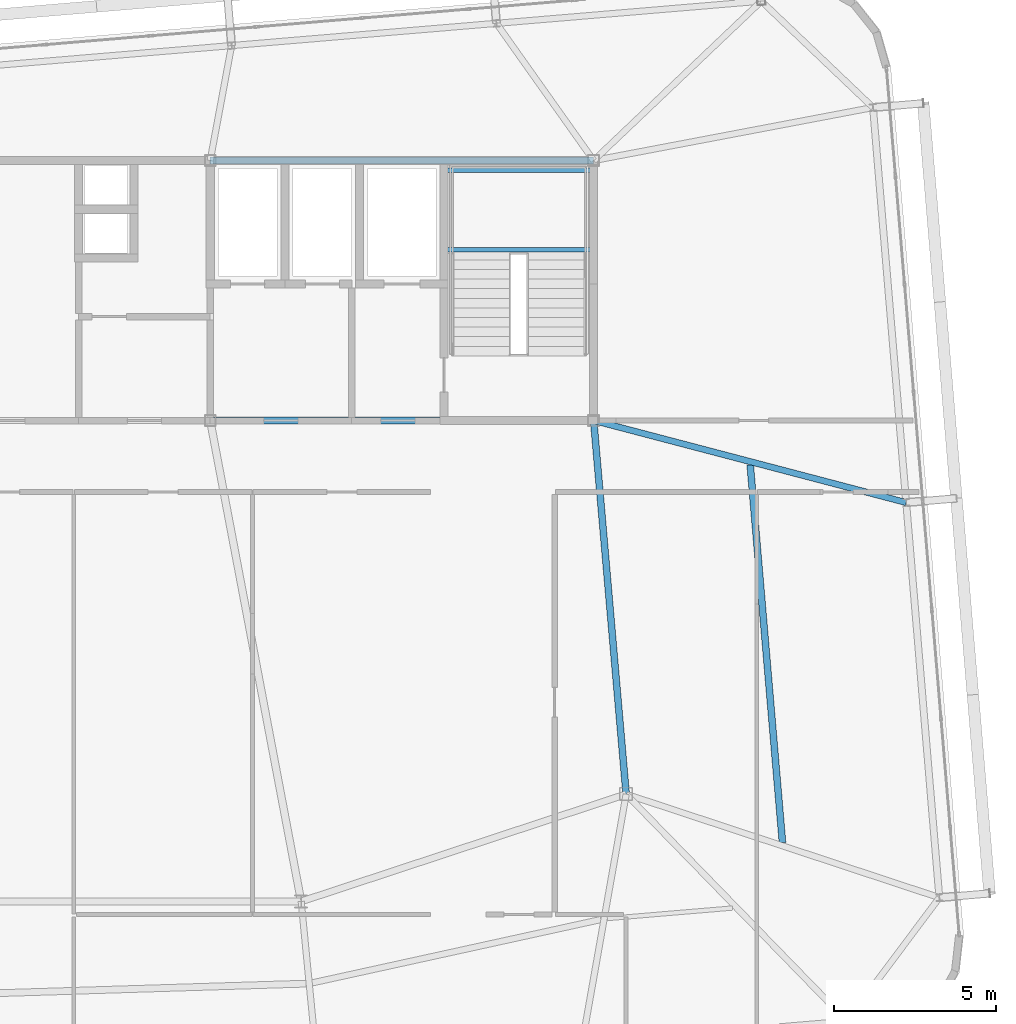
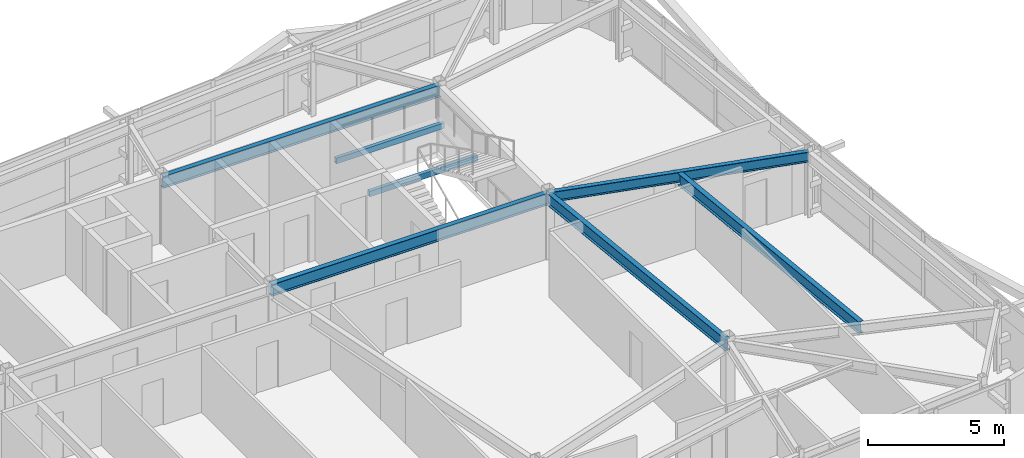
# One storey, part 24 of 46: 7 beams.
"""IFC4 building model written with IfcOpenShell, lengths in metres."""

import ifcopenshell
import ifcopenshell.guid

model = None  # the IFC model being written
_history = None  # IfcOwnerHistory: only IFC2X3 demands one
_inside = {}  # id of a spatial element -> (the spatial element, [elements in it])
_under = {}  # id of a project, library or spatial element -> (it, [spatial elements below it])
_declared = {}  # id of a project -> (the project, [libraries it declares])
_typed = {}  # id of a type object -> (the type object, [elements of that type])
_made_of = {}  # id of a material, layer set ... -> (it, [elements and type objects made of it])


def new_model(schema):
    """Start an empty IFC model of exactly this schema.

    Asked for "IFC4X3", IfcOpenShell would pick the latest addendum, in which some entities
    have other attributes; the version numbers below select the first issue.
    IFC2X3 requires an IfcOwnerHistory on every rooted entity: one is made here for all.
    """
    global model, _history
    if schema == "IFC4X3":
        model = ifcopenshell.file(schema_version=(4, 3, 0, 0))
    else:
        model = ifcopenshell.file(schema=schema)
    _inside.clear()
    _under.clear()
    _declared.clear()
    _typed.clear()
    _made_of.clear()
    _history = None
    if model.schema == "IFC2X3":
        org = make("IfcOrganization", Name="unknown")
        user = make(
            "IfcPersonAndOrganization",
            ThePerson=make("IfcPerson", FamilyName="unknown"),
            TheOrganization=org,
        )
        app = make(
            "IfcApplication",
            ApplicationDeveloper=org,
            Version="unknown",
            ApplicationFullName="unknown",
            ApplicationIdentifier="unknown",
        )
        _history = make(
            "IfcOwnerHistory",
            OwningUser=user,
            OwningApplication=app,
            ChangeAction="ADDED",
            CreationDate=0,
        )
    return model


def make(cls, **values):
    """One entity of the class cls with the attributes given. An attribute that is None is left unset."""
    return model.create_entity(
        cls, **{name: value for name, value in values.items() if value is not None}
    )


def rooted(cls, **values):
    """An entity with a GlobalId (a new one), such as an element, a storey or a relation."""
    return make(cls, GlobalId=ifcopenshell.guid.new(), OwnerHistory=_history, **values)


def si_unit(unit_type, name, prefix=None):
    """IfcSIUnit, for example si_unit("LENGTHUNIT", "METRE", prefix="MILLI")."""
    return make("IfcSIUnit", UnitType=unit_type, Prefix=prefix, Name=name)


def assignment(units):
    """IfcUnitAssignment: the units of a project."""
    return None if units is None else make("IfcUnitAssignment", Units=units)


def point(xyz):
    """IfcCartesianPoint."""
    return None if xyz is None else make("IfcCartesianPoint", Coordinates=xyz)


def direction(xyz):
    """IfcDirection."""
    return None if xyz is None else make("IfcDirection", DirectionRatios=xyz)


def frame(location, z_axis=None, x_axis=None):
    """IfcAxis2Placement3D, a coordinate frame: its origin and axes. An axis left out is left unset."""
    return make(
        "IfcAxis2Placement3D",
        Location=point(location),
        Axis=direction(z_axis),
        RefDirection=direction(x_axis),
    )


def frame_2d(location, x_axis=None):
    """IfcAxis2Placement2D, a coordinate frame in the plane: its origin and x axis."""
    return make(
        "IfcAxis2Placement2D", Location=point(location), RefDirection=direction(x_axis)
    )


def origin():
    """The frame at (0, 0, 0) with its axes left unset."""
    return frame((0.0, 0.0, 0.0))


def origin_2d():
    """The frame at (0, 0) in the plane with its x axis left unset."""
    return frame_2d((0.0, 0.0))


def place(relative_to, where):
    """IfcLocalPlacement: puts the frame where relative to a parent placement (None: the world)."""
    return make(
        "IfcLocalPlacement", PlacementRelTo=relative_to, RelativePlacement=where
    )


def context(
    kind, dimensions, precision=None, world=None, true_north=None, identifier=None
):
    """IfcGeometricRepresentationContext, for example the 3D "Model" context."""
    return make(
        "IfcGeometricRepresentationContext",
        ContextIdentifier=identifier,
        ContextType=kind,
        CoordinateSpaceDimension=dimensions,
        Precision=precision,
        WorldCoordinateSystem=world,
        TrueNorth=true_north,
    )


def subcontext(parent, identifier, kind, view, scale=None):
    """IfcGeometricRepresentationSubContext, for example "Body" below "Model"."""
    return make(
        "IfcGeometricRepresentationSubContext",
        ContextIdentifier=identifier,
        ContextType=kind,
        ParentContext=parent,
        TargetScale=scale,
        TargetView=view,
    )


def project(units=None, contexts=None):
    """IfcProject with its units and contexts."""
    return rooted(
        "IfcProject",
        Name="project",
        RepresentationContexts=contexts,
        UnitsInContext=assignment(units),
    )


def spatial(cls, under=None, at=None, **own):
    """A site, building, storey or space (cls), placed at a placement, below another one or the project."""
    s = rooted(cls, ObjectPlacement=at, **own)
    if under is not None:
        _under.setdefault(under.id(), (under, []))[1].append(s)
    return s


def profile(cls, at=None, kind="AREA", **sizes):
    """A parametric profile (cls). Its sizes go by their IFC names, for example OverallWidth=200.0."""
    return make(cls, ProfileType=kind, Position=at, **sizes)


def hollow_rectangle(**sizes):
    """IfcRectangleHollowProfileDef."""
    return profile("IfcRectangleHollowProfileDef", **sizes)


def i_section(**sizes):
    """IfcIShapeProfileDef."""
    return profile("IfcIShapeProfileDef", **sizes)


def extrude(swept, where, along, depth):
    """IfcExtrudedAreaSolid: the profile swept, set in the frame where, extruded along a direction by depth."""
    return make(
        "IfcExtrudedAreaSolid",
        SweptArea=swept,
        Position=where,
        ExtrudedDirection=direction(along),
        Depth=depth,
    )


def shape(context_of_items, identifier, shape_type, items):
    """IfcShapeRepresentation: the items that make up one representation, for example the "Body"."""
    return make(
        "IfcShapeRepresentation",
        ContextOfItems=context_of_items,
        RepresentationIdentifier=identifier,
        RepresentationType=shape_type,
        Items=items,
    )


def source(mapping_origin, context_of_items, identifier, shape_type, items):
    """IfcRepresentationMap: a shape defined once, which mapped items show again and again."""
    return make(
        "IfcRepresentationMap",
        MappingOrigin=mapping_origin,
        MappedRepresentation=shape(context_of_items, identifier, shape_type, items),
    )


def transform(
    local_origin,
    x_axis=None,
    y_axis=None,
    z_axis=None,
    scale=None,
    scale2=None,
    scale3=None,
    uniform=True,
):
    """IfcCartesianTransformationOperator3D, or its non-uniform kind. x_axis, y_axis, z_axis: its Axis1, 2, 3."""
    if uniform:
        return make(
            "IfcCartesianTransformationOperator3D",
            Axis1=direction(x_axis),
            Axis2=direction(y_axis),
            LocalOrigin=point(local_origin),
            Scale=scale,
            Axis3=direction(z_axis),
        )
    return make(
        "IfcCartesianTransformationOperator3DnonUniform",
        Axis1=direction(x_axis),
        Axis2=direction(y_axis),
        LocalOrigin=point(local_origin),
        Scale=scale,
        Axis3=direction(z_axis),
        Scale2=scale2,
        Scale3=scale3,
    )


def mapped(mapping_source, mapping_target):
    """IfcMappedItem: shows the shape of a source again, moved by a transform."""
    return make(
        "IfcMappedItem", MappingSource=mapping_source, MappingTarget=mapping_target
    )


def material(Name=None, Category=None):
    """IfcMaterial."""
    return make("IfcMaterial", Name=Name, Category=Category)


def material_profile(
    of_material, cross_section, Name=None, Category=None, Priority=None
):
    """IfcMaterialProfile: a cross section and its material."""
    return make(
        "IfcMaterialProfile",
        Name=Name,
        Material=of_material,
        Profile=cross_section,
        Priority=Priority,
        Category=Category,
    )


def profile_set(profiles, Name=None, composite=None):
    """IfcMaterialProfileSet."""
    return make(
        "IfcMaterialProfileSet",
        Name=Name,
        MaterialProfiles=profiles,
        CompositeProfile=composite,
    )


def made_of(thing, what):
    """Note that an element or type object is made of a material, layer set ...; save() writes the relation."""
    if what is not None:
        _made_of.setdefault(what.id(), (what, []))[1].append(thing)
    return thing


def type_object(cls, material=None, **own):
    """A type object (cls), such as IfcWallType, which elements share."""
    return made_of(rooted(cls, **own), material)


def element(
    cls,
    number,
    at=None,
    inside=None,
    cuts=None,
    type_object=None,
    material=None,
    context=None,
    identifier="Body",
    shape_type=None,
    held_by="IfcProductDefinitionShape",
    body=None,
    shapes=None,
    **own,
):
    """One element of the class cls, such as IfcWall. Its Tag is "e" and its number.

    at: its placement. inside: the storey or other place that contains it. cuts: it is an
    opening in that element (IfcRelVoidsElement). A single representation is given by context,
    identifier, shape_type and body (its items); several are given by shapes. held_by: the class
    of the entity that holds the representations. save() writes the other relations.
    """
    e = rooted(cls, Tag="e%d" % number, ObjectPlacement=at, **own)
    if body is not None:
        shapes = [shape(context, identifier, shape_type, body)]
    if shapes is not None:
        e.Representation = make(held_by, Representations=shapes)
    if inside is not None:
        _inside.setdefault(inside.id(), (inside, []))[1].append(e)
    if cuts is not None:
        rooted(
            "IfcRelVoidsElement", RelatingBuildingElement=cuts, RelatedOpeningElement=e
        )
    if type_object is not None:
        _typed.setdefault(type_object.id(), (type_object, []))[1].append(e)
    return made_of(e, material)


def aggregate(whole, parts):
    """IfcRelAggregates: a whole, such as a stair, and the parts it consists of."""
    return rooted("IfcRelAggregates", RelatingObject=whole, RelatedObjects=parts)


def save(model, path):
    """Write the relations noted so far, then the file.

    IfcRelAggregates (storeys below a building ...), IfcRelContainedInSpatialStructure (elements
    in a storey), IfcRelDefinesByType, IfcRelAssociatesMaterial and IfcRelDeclares: one each for
    every whole, place, type object, material and project.
    """
    for whole, parts in _under.values():
        aggregate(whole, parts)
    for where, things in _inside.values():
        rooted(
            "IfcRelContainedInSpatialStructure",
            RelatedElements=things,
            RelatingStructure=where,
        )
    for kind, things in _typed.values():
        rooted("IfcRelDefinesByType", RelatedObjects=things, RelatingType=kind)
    for what, things in _made_of.values():
        rooted("IfcRelAssociatesMaterial", RelatedObjects=things, RelatingMaterial=what)
    for by, libraries in _declared.values():
        rooted("IfcRelDeclares", RelatingContext=by, RelatedDefinitions=libraries)
    model.write(path)


model = new_model("IFC4")

# Units and contexts
model_context = context("Model", 3, precision=1e-05, world=origin(), true_north=direction((0.0, 1.0)))
body_context = subcontext(model_context, "Body", "Model", "MODEL_VIEW")
ifc_project = project(units=[si_unit("LENGTHUNIT", "METRE"), si_unit("AREAUNIT", "SQUARE_METRE"), si_unit("VOLUMEUNIT", "CUBIC_METRE"), si_unit("PLANEANGLEUNIT", "RADIAN"), si_unit("MASSUNIT", "GRAM", prefix="KILO")], contexts=[model_context])

# Site, building, storey
site_placement = place(None, origin())
site = spatial("IfcSite", under=ifc_project, at=site_placement, CompositionType="ELEMENT")
building_placement = place(site_placement, origin())
building = spatial("IfcBuilding", under=site, at=building_placement, Name="Taldren Reach Tower", CompositionType="ELEMENT")
storey_placement = place(building_placement, frame((0.0, 0.0, 194.60009765625)))
storey = spatial("IfcBuildingStorey", under=building, at=storey_placement, Name="L59", CompositionType="ELEMENT", Elevation=194.60009765625)

# Beams
ifc_material_1 = material(Name="Steel Gr 350 (350PLUS)", Category="steel")
ifc_material_profile_1 = material_profile(ifc_material_1, i_section(OverallWidth=0.208984375, OverallDepth=0.532958984375, WebThickness=0.01025390625, FlangeThickness=0.015625, at=origin_2d()), Name="530UB92.4")
ifc_profile_set_1 = profile_set([ifc_material_profile_1], Name="Steel Gr 350 (350PLUS)")
beam_type_1 = type_object("IfcBeamType", Name="BM-UB530A", PredefinedType="BEAM", material=ifc_profile_set_1)
shared_shape_1 = source(origin(), body_context, "Body", "SweptSolid", [
    extrude(i_section(OverallWidth=0.208984375, OverallDepth=0.532958984375, WebThickness=0.01025390625, FlangeThickness=0.015625, at=origin_2d()), origin(), (0.0, 0.0, 1.0), 11.800048828125),
])
for number, where, z_axis, x_axis, name in (
    (1, (39.199951171875, 24.0, 2.663330078125), (1.0, 0.0, 0.0), (0.0, 1.0, 0.0), "Core-spine girder L59-SP03"),
    (2, (39.199951171875, 32.0, 2.663330078125), (1.0, 0.0, 0.0), (0.0, 1.0, 0.0), "Core-spine girder L59-SP06"),
):
    element("IfcBeam", number, at=place(storey_placement, frame(where, z_axis=z_axis, x_axis=x_axis)), inside=storey, type_object=beam_type_1, Name=name, PredefinedType="BEAM", context=body_context, shape_type="MappedRepresentation", body=[
        mapped(shared_shape_1, transform((0.0, 0.0, 0.0), scale=1.0)),
    ])
shared_shape_2 = source(origin(), body_context, "Body", "SweptSolid", [
    extrude(i_section(OverallWidth=0.208984375, OverallDepth=0.532958984375, WebThickness=0.01025390625, FlangeThickness=0.015625, at=origin_2d()), origin(), (0.0, 0.0, 1.0), 11.54345703125),
])
beam_1_placement = place(storey_placement, frame((52.0, 12.5, 2.663330078125), z_axis=(-0.086629616365, 0.996240588196, 0.0), x_axis=(-0.996240588196, -0.086629616365, 0.0)))
element("IfcBeam", 3, at=beam_1_placement, inside=storey, type_object=beam_type_1, Name="Core-spine girder L59-SP13", PredefinedType="BEAM", context=body_context, shape_type="MappedRepresentation", body=[
    mapped(shared_shape_2, transform((0.0, 0.0, 0.0), scale=1.0)),
])
ifc_material_profile_2 = material_profile(ifc_material_1, i_section(OverallWidth=0.19091796875, OverallDepth=0.4599609375, WebThickness=0.010009765625, FlangeThickness=0.01611328125, at=origin_2d()), Name="460UB82.1")
ifc_profile_set_2 = profile_set([ifc_material_profile_2], Name="Steel Gr 350 (350PLUS)")
beam_type_2 = type_object("IfcBeamType", Name="BM-UB460A", PredefinedType="BEAM", material=ifc_profile_set_2)
shared_shape_3 = source(origin(), body_context, "Body", "SweptSolid", [
    extrude(i_section(OverallWidth=0.19091796875, OverallDepth=0.4599609375, WebThickness=0.010009765625, FlangeThickness=0.01611328125, at=origin_2d()), origin(), (0.0, 0.0, 1.0), 9.943115234375),
])
beam_2_placement = place(storey_placement, frame((51.0, 24.0, 2.699951171875), z_axis=(0.967215285987, -0.253957851923, 0.0), x_axis=(0.253957851923, 0.967215285987, 0.0)))
element("IfcBeam", 4, at=beam_2_placement, inside=storey, type_object=beam_type_2, Name="Primary floor girder B4-E2 L59", PredefinedType="BEAM", context=body_context, shape_type="MappedRepresentation", body=[
    mapped(shared_shape_3, transform((0.0, 0.0, 0.0), scale=1.0)),
])
shared_shape_4 = source(origin(), body_context, "Body", "SweptSolid", [
    extrude(i_section(OverallWidth=0.208984375, OverallDepth=0.532958984375, WebThickness=0.01025390625, FlangeThickness=0.015625, at=origin_2d()), origin(), (0.0, 0.0, 1.0), 11.66650390625),
])
beam_3_placement = place(storey_placement, frame((56.810302734375, 11.01220703125, 2.663330078125), z_axis=(-0.085128704566, 0.996369963246, 0.0), x_axis=(-0.996369963246, -0.085128704566, 0.0)))
element("IfcBeam", 5, at=beam_3_placement, inside=storey, type_object=beam_type_1, Name="Secondary floor beam B4 J7 L59", PredefinedType="BEAM", context=body_context, shape_type="MappedRepresentation", body=[
    mapped(shared_shape_4, transform((0.0, 0.0, 0.0), scale=1.0)),
])
ifc_material_2 = material(Name="Steel Gr 350 (C350L0)", Category="steel")
ifc_material_profile_3 = material_profile(ifc_material_2, hollow_rectangle(XDim=0.14990234375, YDim=0.25, WallThickness=0.009033203125, at=origin_2d()), Name="250x150x9.0RHS")
ifc_profile_set_3 = profile_set([ifc_material_profile_3], Name="Steel Gr 350 (C350L0)")
beam_type_3 = type_object("IfcBeamType", Name="LN-RHS250", PredefinedType="LINTEL", material=ifc_profile_set_3)
shared_shape_5 = source(origin(), body_context, "Body", "SweptSolid", [
    extrude(hollow_rectangle(XDim=0.14990234375, YDim=0.25, WallThickness=0.009033203125, at=origin_2d()), origin(), (0.0, 0.0, 1.0), 4.60009765625),
])
for number, where, z_axis, x_axis, name in (
    (6, (46.39990234375, 29.2548828125, 1.27001953125), (1.0, 0.0, 0.0), (0.0, 1.0, 0.0), "Stair half-landing support beam ST2-L59-1"),
    (7, (46.39990234375, 31.699951171875, 1.27001953125), (1.0, 0.0, 0.0), (0.0, 1.0, 0.0), "Stair half-landing support beam ST2-L59-2"),
):
    element("IfcBeam", number, at=place(storey_placement, frame(where, z_axis=z_axis, x_axis=x_axis)), inside=storey, type_object=beam_type_3, Name=name, PredefinedType="LINTEL", context=body_context, shape_type="MappedRepresentation", body=[
        mapped(shared_shape_5, transform((0.0, 0.0, 0.0), scale=1.0)),
    ])

save(model, "model.ifc")
